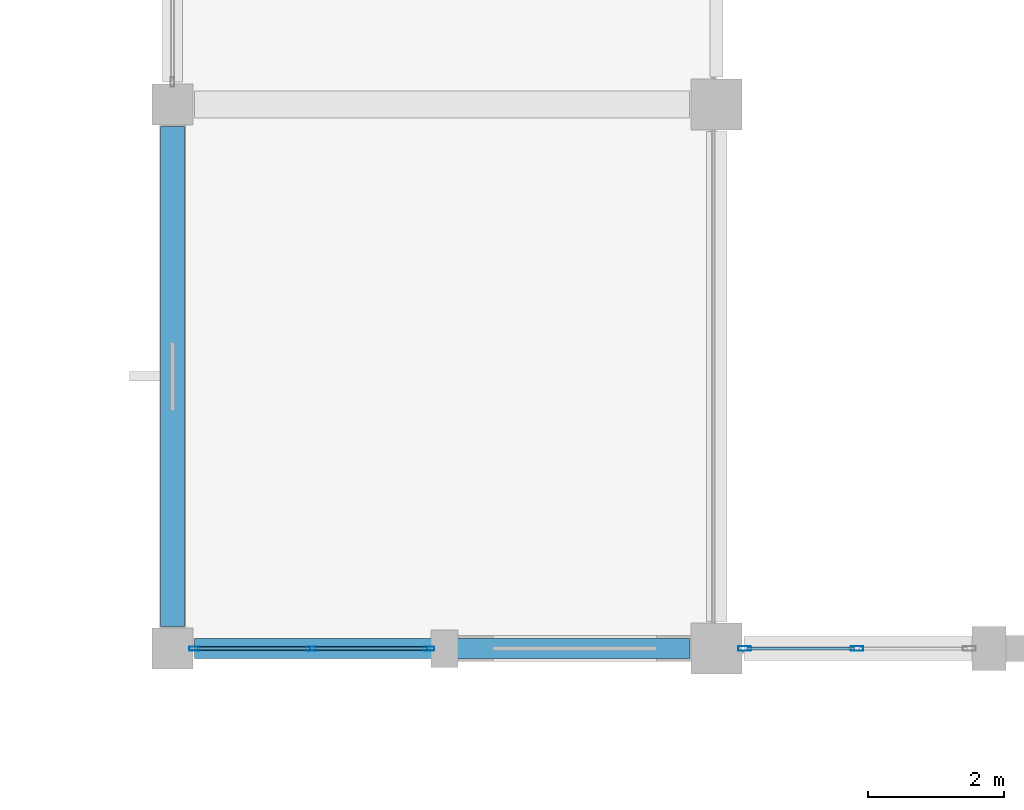
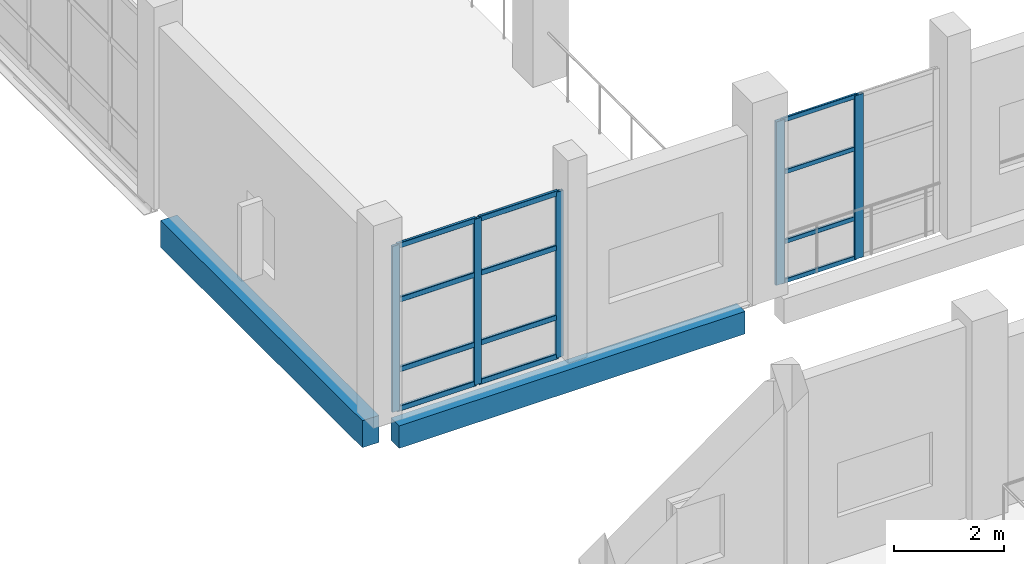
# One storey, part 104 of 183: 17 members, 2 beams, 2 elements without a shape of their own.
"""IFC4 building model written with IfcOpenShell, lengths in metres."""

from ifc_helpers import new_model, si_unit, direction, frame, origin, origin_2d, place, context, subcontext, project, spatial, rectangle, hollow_rectangle, extrude, material, material_profile, profile_set, type_object, element, aggregate, save


model = new_model("IFC4")

# Units and contexts
model_context = context("Model", 3, precision=1e-05, world=origin(), true_north=direction((0.0, 1.0)))
body_context = subcontext(model_context, "Body", "Model", "MODEL_VIEW")
ifc_project = project(units=[si_unit("LENGTHUNIT", "METRE"), si_unit("AREAUNIT", "SQUARE_METRE"), si_unit("VOLUMEUNIT", "CUBIC_METRE"), si_unit("PLANEANGLEUNIT", "RADIAN"), si_unit("MASSUNIT", "GRAM", prefix="KILO")], contexts=[model_context])

# Site, building, storey
site_placement = place(None, origin())
site = spatial("IfcSite", under=ifc_project, at=site_placement, CompositionType="ELEMENT")
building_placement = place(site_placement, origin())
building = spatial("IfcBuilding", under=site, at=building_placement, Name="Luwemba Playhouse", CompositionType="ELEMENT")
storey_placement = place(building_placement, frame((0.0, 0.0, 4.800048828125)))
storey = spatial("IfcBuildingStorey", under=building, at=storey_placement, Name="L01", CompositionType="ELEMENT", Elevation=4.800048828125)

# Beams
ifc_material_1 = material(Name="Concrete C40/50", Category="concrete")
ifc_material_profile_1 = material_profile(ifc_material_1, rectangle(XDim=0.300048828125, YDim=0.5, at=origin_2d()))
ifc_profile_set_1 = profile_set([ifc_material_profile_1], Name="Concrete C40/50")
beam_type_1 = type_object("IfcBeamType", Name="BM-SP1", PredefinedType="SPANDREL", material=ifc_profile_set_1)
beam_1_placement = place(storey_placement, frame((132.324951171875, 68.0, -0.5), z_axis=(1.0, 0.0, 0.0), x_axis=(0.0, 1.0, 0.0)))
element("IfcBeam", 1, at=beam_1_placement, inside=storey, type_object=beam_type_1, Name="L01 grid girder 0436", PredefinedType="SPANDREL", context=body_context, shape_type="SweptSolid", body=[
    extrude(rectangle(XDim=0.300048828125, YDim=0.5, at=origin_2d()), origin(), (0.0, 0.0, 1.0), 7.275146484375),
])
ifc_material_profile_2 = material_profile(ifc_material_1, rectangle(XDim=0.35009765625, YDim=0.60009765625, at=origin_2d()))
ifc_profile_set_2 = profile_set([ifc_material_profile_2], Name="Concrete C40/50")
beam_type_2 = type_object("IfcBeamType", Name="BM-SP3", PredefinedType="SPANDREL", material=ifc_profile_set_2)
beam_2_placement = place(storey_placement, frame((132.0, 68.324951171875, -0.550048828125), z_axis=(0.0, 1.0, 0.0), x_axis=(-1.0, 0.0, 0.0)))
element("IfcBeam", 2, at=beam_2_placement, inside=storey, type_object=beam_type_2, Name="L01 transverse girder 0453", PredefinedType="SPANDREL", context=body_context, shape_type="SweptSolid", body=[
    extrude(rectangle(XDim=0.35009765625, YDim=0.60009765625, at=origin_2d()), origin(), (0.0, 0.0, 1.0), 7.35009765625),
])

# Curtain wall, members
ifc_material_2 = material(Name="Solar-control double glazing", Category="glass")
curtain_wall_type_1 = type_object("IfcCurtainWallType", Name="CW-CW88", PredefinedType="USERDEFINED", material=ifc_material_2)
curtain_wall_1_placement = place(storey_placement, origin())
curtain_wall_1 = element("IfcCurtainWall", 3, at=curtain_wall_1_placement, inside=storey, type_object=curtain_wall_type_1, Name="L01 V4 unitised curtain wall 118", ObjectType="UNITISED GLAZING", PredefinedType="USERDEFINED")
ifc_material_3 = material(Name="Aluminium 6063-T6", Category="aluminium")
ifc_material_profile_3 = material_profile(ifc_material_3, hollow_rectangle(XDim=0.06005859375, YDim=0.159912109375, WallThickness=0.00390625, InnerFilletRadius=0.006103515625, OuterFilletRadius=0.010009765625, at=origin_2d()))
ifc_profile_set_3 = profile_set([ifc_material_profile_3], Name="Aluminium 6063-T6")
member_type_1 = type_object("IfcMemberType", Name="CWM-M1", PredefinedType="MULLION", material=ifc_profile_set_3)
member_1_placement = place(storey_placement, frame((135.77001953125, 68.0, 0.0), z_axis=(0.0, 0.0, 1.0), x_axis=(0.0, -1.0, 0.0)))
member_1 = element("IfcMember", 4, at=member_1_placement, type_object=member_type_1, Name="CW88 mullion 1", PredefinedType="MULLION", context=body_context, shape_type="SweptSolid", body=[
    extrude(hollow_rectangle(XDim=0.06005859375, YDim=0.159912109375, WallThickness=0.00390625, InnerFilletRadius=0.006103515625, OuterFilletRadius=0.010009765625, at=origin_2d()), origin(), (0.0, 0.0, 1.0), 3.68505859375),
])
member_2_placement = place(storey_placement, frame((134.050048828125, 68.0, 0.0), z_axis=(0.0, 0.0, 1.0), x_axis=(0.0, -1.0, 0.0)))
member_2 = element("IfcMember", 5, at=member_2_placement, type_object=member_type_1, Name="CW88 mullion 2", PredefinedType="MULLION", context=body_context, shape_type="SweptSolid", body=[
    extrude(hollow_rectangle(XDim=0.06005859375, YDim=0.159912109375, WallThickness=0.00390625, InnerFilletRadius=0.006103515625, OuterFilletRadius=0.010009765625, at=origin_2d()), origin(), (0.0, 0.0, 1.0), 3.68505859375),
])
member_3_placement = place(storey_placement, frame((132.330078125, 68.0, 0.0), z_axis=(0.0, 0.0, 1.0), x_axis=(0.0, -1.0, 0.0)))
member_3 = element("IfcMember", 6, at=member_3_placement, type_object=member_type_1, Name="CW88 mullion 3", PredefinedType="MULLION", context=body_context, shape_type="SweptSolid", body=[
    extrude(hollow_rectangle(XDim=0.06005859375, YDim=0.159912109375, WallThickness=0.00390625, InnerFilletRadius=0.006103515625, OuterFilletRadius=0.010009765625, at=origin_2d()), origin(), (0.0, 0.0, 1.0), 3.68505859375),
])

curtain_wall_type_2 = type_object("IfcCurtainWallType", Name="CW-CW87", PredefinedType="USERDEFINED", material=ifc_material_2)
curtain_wall_2_placement = place(storey_placement, origin())
curtain_wall_2 = element("IfcCurtainWall", 7, at=curtain_wall_2_placement, inside=storey, type_object=curtain_wall_type_2, Name="L01 V4 unitised curtain wall 117", ObjectType="UNITISED GLAZING", PredefinedType="USERDEFINED")
ifc_material_profile_4 = material_profile(ifc_material_3, hollow_rectangle(XDim=0.070068359375, YDim=0.18994140625, WallThickness=0.0048828125, InnerFilletRadius=0.007568359375, OuterFilletRadius=0.012451171875, at=origin_2d()))
ifc_profile_set_4 = profile_set([ifc_material_profile_4], Name="Aluminium 6063-T6")
member_type_2 = type_object("IfcMemberType", Name="CWM-M4", PredefinedType="MULLION", material=ifc_profile_set_4)
member_4_placement = place(storey_placement, frame((142.0625, 68.0, 0.0), z_axis=(0.0, 0.0, 1.0), x_axis=(0.0, -1.0, 0.0)))
member_4 = element("IfcMember", 8, at=member_4_placement, type_object=member_type_2, Name="CW87 mullion 2", PredefinedType="MULLION", context=body_context, shape_type="SweptSolid", body=[
    extrude(hollow_rectangle(XDim=0.070068359375, YDim=0.18994140625, WallThickness=0.0048828125, InnerFilletRadius=0.007568359375, OuterFilletRadius=0.012451171875, at=origin_2d()), origin(), (0.0, 0.0, 1.0), 3.635009765625),
])
member_5_placement = place(storey_placement, frame((140.409912109375, 68.0, 0.0), z_axis=(0.0, 0.0, 1.0), x_axis=(0.0, -1.0, 0.0)))
member_5 = element("IfcMember", 9, at=member_5_placement, type_object=member_type_2, Name="CW87 mullion 3", PredefinedType="MULLION", context=body_context, shape_type="SweptSolid", body=[
    extrude(hollow_rectangle(XDim=0.070068359375, YDim=0.18994140625, WallThickness=0.0048828125, InnerFilletRadius=0.007568359375, OuterFilletRadius=0.012451171875, at=origin_2d()), origin(), (0.0, 0.0, 1.0), 3.635009765625),
])

# Member
ifc_material_profile_5 = material_profile(ifc_material_3, hollow_rectangle(XDim=0.06005859375, YDim=0.1201171875, WallThickness=0.00390625, InnerFilletRadius=0.006103515625, OuterFilletRadius=0.010009765625, at=origin_2d()))
ifc_profile_set_5 = profile_set([ifc_material_profile_5], Name="Aluminium 6063-T6")
member_type_3 = type_object("IfcMemberType", Name="CWT-T1", PredefinedType="USERDEFINED", material=ifc_profile_set_5)
member_6_placement = place(storey_placement, frame((135.739990234375, 68.0, 0.030029296875), z_axis=(-1.0, 0.0, 0.0), x_axis=(0.0, -1.0, 0.0)))
member_6 = element("IfcMember", 10, at=member_6_placement, type_object=member_type_3, Name="CW88 transom 1.1", ObjectType="TRANSOM", PredefinedType="USERDEFINED", context=body_context, shape_type="SweptSolid", body=[
    extrude(hollow_rectangle(XDim=0.06005859375, YDim=0.1201171875, WallThickness=0.00390625, InnerFilletRadius=0.006103515625, OuterFilletRadius=0.010009765625, at=origin_2d()), origin(), (0.0, 0.0, 1.0), 1.659912109375),
])

member_7_placement = place(storey_placement, frame((135.739990234375, 68.0, 0.89990234375), z_axis=(-1.0, 0.0, 0.0), x_axis=(0.0, -1.0, 0.0)))
member_7 = element("IfcMember", 11, at=member_7_placement, type_object=member_type_3, Name="CW88 transom 1.2", ObjectType="TRANSOM", PredefinedType="USERDEFINED", context=body_context, shape_type="SweptSolid", body=[
    extrude(hollow_rectangle(XDim=0.06005859375, YDim=0.1201171875, WallThickness=0.00390625, InnerFilletRadius=0.006103515625, OuterFilletRadius=0.010009765625, at=origin_2d()), origin(), (0.0, 0.0, 1.0), 1.659912109375),
])

member_8_placement = place(storey_placement, frame((135.739990234375, 68.0, 2.449951171875), z_axis=(-1.0, 0.0, 0.0), x_axis=(0.0, -1.0, 0.0)))
member_8 = element("IfcMember", 12, at=member_8_placement, type_object=member_type_3, Name="CW88 transom 1.3", ObjectType="TRANSOM", PredefinedType="USERDEFINED", context=body_context, shape_type="SweptSolid", body=[
    extrude(hollow_rectangle(XDim=0.06005859375, YDim=0.1201171875, WallThickness=0.00390625, InnerFilletRadius=0.006103515625, OuterFilletRadius=0.010009765625, at=origin_2d()), origin(), (0.0, 0.0, 1.0), 1.659912109375),
])

member_9_placement = place(storey_placement, frame((135.739990234375, 68.0, 3.655029296875), z_axis=(-1.0, 0.0, 0.0), x_axis=(0.0, -1.0, 0.0)))
member_9 = element("IfcMember", 13, at=member_9_placement, type_object=member_type_3, Name="CW88 transom 1.4", ObjectType="TRANSOM", PredefinedType="USERDEFINED", context=body_context, shape_type="SweptSolid", body=[
    extrude(hollow_rectangle(XDim=0.06005859375, YDim=0.1201171875, WallThickness=0.00390625, InnerFilletRadius=0.006103515625, OuterFilletRadius=0.010009765625, at=origin_2d()), origin(), (0.0, 0.0, 1.0), 1.659912109375),
])

member_10_placement = place(storey_placement, frame((134.02001953125, 68.0, 0.030029296875), z_axis=(-1.0, 0.0, 0.0), x_axis=(0.0, -1.0, 0.0)))
member_10 = element("IfcMember", 14, at=member_10_placement, type_object=member_type_3, Name="CW88 transom 2.1", ObjectType="TRANSOM", PredefinedType="USERDEFINED", context=body_context, shape_type="SweptSolid", body=[
    extrude(hollow_rectangle(XDim=0.06005859375, YDim=0.1201171875, WallThickness=0.00390625, InnerFilletRadius=0.006103515625, OuterFilletRadius=0.010009765625, at=origin_2d()), origin(), (0.0, 0.0, 1.0), 1.659912109375),
])

member_11_placement = place(storey_placement, frame((134.02001953125, 68.0, 0.89990234375), z_axis=(-1.0, 0.0, 0.0), x_axis=(0.0, -1.0, 0.0)))
member_11 = element("IfcMember", 15, at=member_11_placement, type_object=member_type_3, Name="CW88 transom 2.2", ObjectType="TRANSOM", PredefinedType="USERDEFINED", context=body_context, shape_type="SweptSolid", body=[
    extrude(hollow_rectangle(XDim=0.06005859375, YDim=0.1201171875, WallThickness=0.00390625, InnerFilletRadius=0.006103515625, OuterFilletRadius=0.010009765625, at=origin_2d()), origin(), (0.0, 0.0, 1.0), 1.659912109375),
])

member_12_placement = place(storey_placement, frame((134.02001953125, 68.0, 2.449951171875), z_axis=(-1.0, 0.0, 0.0), x_axis=(0.0, -1.0, 0.0)))
member_12 = element("IfcMember", 16, at=member_12_placement, type_object=member_type_3, Name="CW88 transom 2.3", ObjectType="TRANSOM", PredefinedType="USERDEFINED", context=body_context, shape_type="SweptSolid", body=[
    extrude(hollow_rectangle(XDim=0.06005859375, YDim=0.1201171875, WallThickness=0.00390625, InnerFilletRadius=0.006103515625, OuterFilletRadius=0.010009765625, at=origin_2d()), origin(), (0.0, 0.0, 1.0), 1.659912109375),
])

member_13_placement = place(storey_placement, frame((134.02001953125, 68.0, 3.655029296875), z_axis=(-1.0, 0.0, 0.0), x_axis=(0.0, -1.0, 0.0)))
member_13 = element("IfcMember", 17, at=member_13_placement, type_object=member_type_3, Name="CW88 transom 2.4", ObjectType="TRANSOM", PredefinedType="USERDEFINED", context=body_context, shape_type="SweptSolid", body=[
    extrude(hollow_rectangle(XDim=0.06005859375, YDim=0.1201171875, WallThickness=0.00390625, InnerFilletRadius=0.006103515625, OuterFilletRadius=0.010009765625, at=origin_2d()), origin(), (0.0, 0.0, 1.0), 1.659912109375),
])

aggregate(curtain_wall_1, [member_1, member_2, member_3, member_6, member_7, member_8, member_9, member_10, member_11, member_12, member_13])

ifc_material_profile_6 = material_profile(ifc_material_3, hollow_rectangle(XDim=0.050048828125, YDim=0.10009765625, WallThickness=0.00341796875, InnerFilletRadius=0.00537109375, OuterFilletRadius=0.0087890625, at=origin_2d()))
ifc_profile_set_6 = profile_set([ifc_material_profile_6], Name="Aluminium 6063-T6")
member_type_4 = type_object("IfcMemberType", Name="CWT-T4", PredefinedType="USERDEFINED", material=ifc_profile_set_6)
member_14_placement = place(storey_placement, frame((142.027587890625, 68.0, 0.02490234375), z_axis=(-1.0, 0.0, 0.0), x_axis=(0.0, -1.0, 0.0)))
member_14 = element("IfcMember", 18, at=member_14_placement, type_object=member_type_4, Name="CW87 transom 2.1", ObjectType="TRANSOM", PredefinedType="USERDEFINED", context=body_context, shape_type="SweptSolid", body=[
    extrude(hollow_rectangle(XDim=0.050048828125, YDim=0.10009765625, WallThickness=0.00341796875, InnerFilletRadius=0.00537109375, OuterFilletRadius=0.0087890625, at=origin_2d()), origin(), (0.0, 0.0, 1.0), 1.58251953125),
])

member_15_placement = place(storey_placement, frame((142.027587890625, 68.0, 0.89990234375), z_axis=(-1.0, 0.0, 0.0), x_axis=(0.0, -1.0, 0.0)))
member_15 = element("IfcMember", 19, at=member_15_placement, type_object=member_type_4, Name="CW87 transom 2.2", ObjectType="TRANSOM", PredefinedType="USERDEFINED", context=body_context, shape_type="SweptSolid", body=[
    extrude(hollow_rectangle(XDim=0.050048828125, YDim=0.10009765625, WallThickness=0.00341796875, InnerFilletRadius=0.00537109375, OuterFilletRadius=0.0087890625, at=origin_2d()), origin(), (0.0, 0.0, 1.0), 1.58251953125),
])

member_16_placement = place(storey_placement, frame((142.027587890625, 68.0, 2.449951171875), z_axis=(-1.0, 0.0, 0.0), x_axis=(0.0, -1.0, 0.0)))
member_16 = element("IfcMember", 20, at=member_16_placement, type_object=member_type_4, Name="CW87 transom 2.3", ObjectType="TRANSOM", PredefinedType="USERDEFINED", context=body_context, shape_type="SweptSolid", body=[
    extrude(hollow_rectangle(XDim=0.050048828125, YDim=0.10009765625, WallThickness=0.00341796875, InnerFilletRadius=0.00537109375, OuterFilletRadius=0.0087890625, at=origin_2d()), origin(), (0.0, 0.0, 1.0), 1.58251953125),
])

member_17_placement = place(storey_placement, frame((142.027587890625, 68.0, 3.60986328125), z_axis=(-1.0, 0.0, 0.0), x_axis=(0.0, -1.0, 0.0)))
member_17 = element("IfcMember", 21, at=member_17_placement, type_object=member_type_4, Name="CW87 transom 2.4", ObjectType="TRANSOM", PredefinedType="USERDEFINED", context=body_context, shape_type="SweptSolid", body=[
    extrude(hollow_rectangle(XDim=0.050048828125, YDim=0.10009765625, WallThickness=0.00341796875, InnerFilletRadius=0.00537109375, OuterFilletRadius=0.0087890625, at=origin_2d()), origin(), (0.0, 0.0, 1.0), 1.58251953125),
])

aggregate(curtain_wall_2, [member_4, member_5, member_14, member_15, member_16, member_17])

save(model, "model.ifc")
